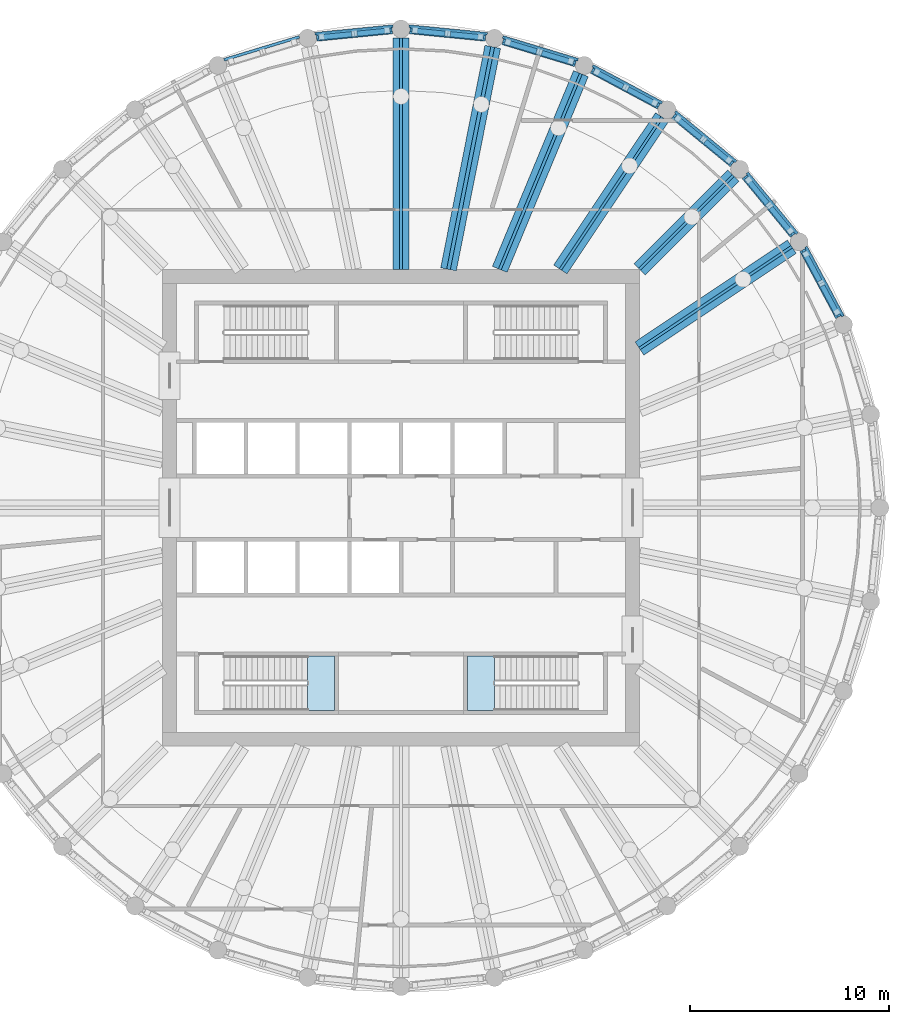
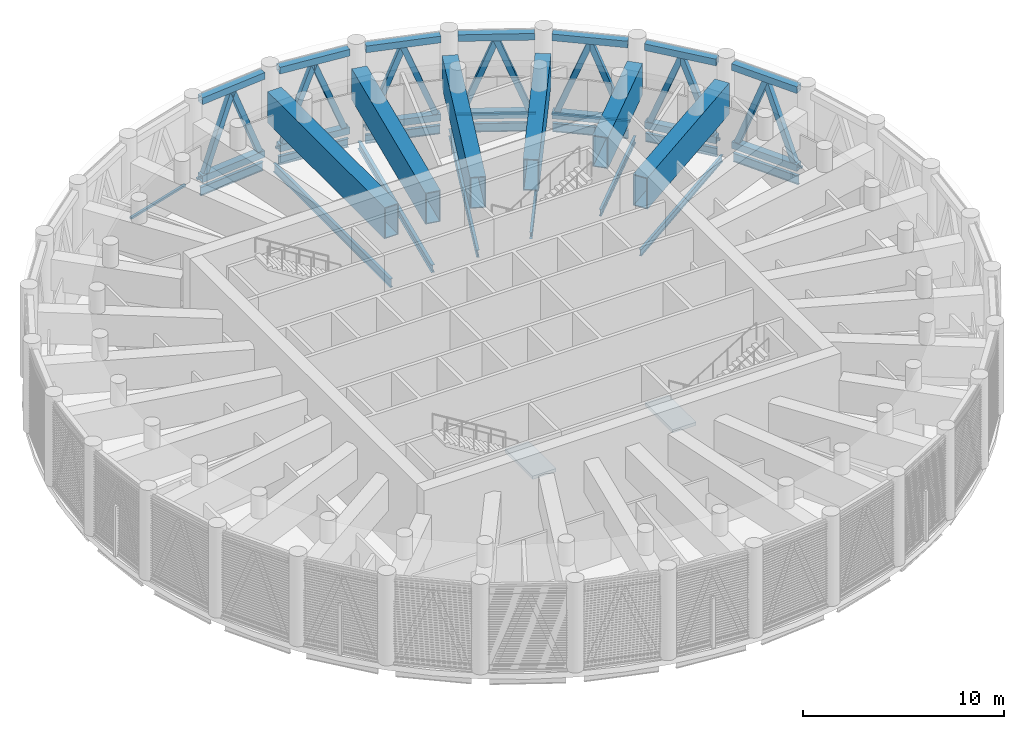
# One storey, part 4 of 19: 36 members, 19 beams, 2 slabs, 10 elements without a shape of their own.
"""IFC4 building model written with IfcOpenShell, lengths in metres."""

import ifcopenshell
import ifcopenshell.guid

model = None  # the IFC model being written
_history = None  # IfcOwnerHistory: only IFC2X3 demands one
_inside = {}  # id of a spatial element -> (the spatial element, [elements in it])
_under = {}  # id of a project, library or spatial element -> (it, [spatial elements below it])
_declared = {}  # id of a project -> (the project, [libraries it declares])
_typed = {}  # id of a type object -> (the type object, [elements of that type])
_made_of = {}  # id of a material, layer set ... -> (it, [elements and type objects made of it])


def new_model(schema):
    """Start an empty IFC model of exactly this schema.

    Asked for "IFC4X3", IfcOpenShell would pick the latest addendum, in which some entities
    have other attributes; the version numbers below select the first issue.
    IFC2X3 requires an IfcOwnerHistory on every rooted entity: one is made here for all.
    """
    global model, _history
    if schema == "IFC4X3":
        model = ifcopenshell.file(schema_version=(4, 3, 0, 0))
    else:
        model = ifcopenshell.file(schema=schema)
    _inside.clear()
    _under.clear()
    _declared.clear()
    _typed.clear()
    _made_of.clear()
    _history = None
    if model.schema == "IFC2X3":
        org = make("IfcOrganization", Name="unknown")
        user = make(
            "IfcPersonAndOrganization",
            ThePerson=make("IfcPerson", FamilyName="unknown"),
            TheOrganization=org,
        )
        app = make(
            "IfcApplication",
            ApplicationDeveloper=org,
            Version="unknown",
            ApplicationFullName="unknown",
            ApplicationIdentifier="unknown",
        )
        _history = make(
            "IfcOwnerHistory",
            OwningUser=user,
            OwningApplication=app,
            ChangeAction="ADDED",
            CreationDate=0,
        )
    return model


def make(cls, **values):
    """One entity of the class cls with the attributes given. An attribute that is None is left unset."""
    return model.create_entity(
        cls, **{name: value for name, value in values.items() if value is not None}
    )


def rooted(cls, **values):
    """An entity with a GlobalId (a new one), such as an element, a storey or a relation."""
    return make(cls, GlobalId=ifcopenshell.guid.new(), OwnerHistory=_history, **values)


def si_unit(unit_type, name, prefix=None):
    """IfcSIUnit, for example si_unit("LENGTHUNIT", "METRE", prefix="MILLI")."""
    return make("IfcSIUnit", UnitType=unit_type, Prefix=prefix, Name=name)


def assignment(units):
    """IfcUnitAssignment: the units of a project."""
    return None if units is None else make("IfcUnitAssignment", Units=units)


def point(xyz):
    """IfcCartesianPoint."""
    return None if xyz is None else make("IfcCartesianPoint", Coordinates=xyz)


def direction(xyz):
    """IfcDirection."""
    return None if xyz is None else make("IfcDirection", DirectionRatios=xyz)


def frame(location, z_axis=None, x_axis=None):
    """IfcAxis2Placement3D, a coordinate frame: its origin and axes. An axis left out is left unset."""
    return make(
        "IfcAxis2Placement3D",
        Location=point(location),
        Axis=direction(z_axis),
        RefDirection=direction(x_axis),
    )


def frame_2d(location, x_axis=None):
    """IfcAxis2Placement2D, a coordinate frame in the plane: its origin and x axis."""
    return make(
        "IfcAxis2Placement2D", Location=point(location), RefDirection=direction(x_axis)
    )


def origin():
    """The frame at (0, 0, 0) with its axes left unset."""
    return frame((0.0, 0.0, 0.0))


def origin_2d():
    """The frame at (0, 0) in the plane with its x axis left unset."""
    return frame_2d((0.0, 0.0))


def place(relative_to, where):
    """IfcLocalPlacement: puts the frame where relative to a parent placement (None: the world)."""
    return make(
        "IfcLocalPlacement", PlacementRelTo=relative_to, RelativePlacement=where
    )


def context(
    kind, dimensions, precision=None, world=None, true_north=None, identifier=None
):
    """IfcGeometricRepresentationContext, for example the 3D "Model" context."""
    return make(
        "IfcGeometricRepresentationContext",
        ContextIdentifier=identifier,
        ContextType=kind,
        CoordinateSpaceDimension=dimensions,
        Precision=precision,
        WorldCoordinateSystem=world,
        TrueNorth=true_north,
    )


def subcontext(parent, identifier, kind, view, scale=None):
    """IfcGeometricRepresentationSubContext, for example "Body" below "Model"."""
    return make(
        "IfcGeometricRepresentationSubContext",
        ContextIdentifier=identifier,
        ContextType=kind,
        ParentContext=parent,
        TargetScale=scale,
        TargetView=view,
    )


def project(units=None, contexts=None):
    """IfcProject with its units and contexts."""
    return rooted(
        "IfcProject",
        Name="project",
        RepresentationContexts=contexts,
        UnitsInContext=assignment(units),
    )


def spatial(cls, under=None, at=None, **own):
    """A site, building, storey or space (cls), placed at a placement, below another one or the project."""
    s = rooted(cls, ObjectPlacement=at, **own)
    if under is not None:
        _under.setdefault(under.id(), (under, []))[1].append(s)
    return s


def polyline(points):
    """IfcPolyline through the points."""
    return make("IfcPolyline", Points=[point(p) for p in points])


def profile(cls, at=None, kind="AREA", **sizes):
    """A parametric profile (cls). Its sizes go by their IFC names, for example OverallWidth=200.0."""
    return make(cls, ProfileType=kind, Position=at, **sizes)


def rectangle(**sizes):
    """IfcRectangleProfileDef."""
    return profile("IfcRectangleProfileDef", **sizes)


def hollow_rectangle(**sizes):
    """IfcRectangleHollowProfileDef."""
    return profile("IfcRectangleHollowProfileDef", **sizes)


def i_section(**sizes):
    """IfcIShapeProfileDef."""
    return profile("IfcIShapeProfileDef", **sizes)


def outline(outer, holes=None, kind="AREA"):
    """IfcArbitraryClosedProfileDef: a profile drawn as a closed curve; with holes, ...WithVoids."""
    if holes is None:
        return make("IfcArbitraryClosedProfileDef", ProfileType=kind, OuterCurve=outer)
    return make(
        "IfcArbitraryProfileDefWithVoids",
        ProfileType=kind,
        OuterCurve=outer,
        InnerCurves=holes,
    )


def extrude(swept, where, along, depth):
    """IfcExtrudedAreaSolid: the profile swept, set in the frame where, extruded along a direction by depth."""
    return make(
        "IfcExtrudedAreaSolid",
        SweptArea=swept,
        Position=where,
        ExtrudedDirection=direction(along),
        Depth=depth,
    )


def shape(context_of_items, identifier, shape_type, items):
    """IfcShapeRepresentation: the items that make up one representation, for example the "Body"."""
    return make(
        "IfcShapeRepresentation",
        ContextOfItems=context_of_items,
        RepresentationIdentifier=identifier,
        RepresentationType=shape_type,
        Items=items,
    )


def material(Name=None, Category=None):
    """IfcMaterial."""
    return make("IfcMaterial", Name=Name, Category=Category)


def layer(
    of_material, thickness, ventilated=None, Name=None, Category=None, Priority=None
):
    """IfcMaterialLayer: one layer of a wall or slab, of a material (None: an air gap)."""
    return make(
        "IfcMaterialLayer",
        Material=of_material,
        LayerThickness=thickness,
        IsVentilated=ventilated,
        Name=Name,
        Category=Category,
        Priority=Priority,
    )


def layer_set(layers, Name=None):
    """IfcMaterialLayerSet."""
    return make("IfcMaterialLayerSet", MaterialLayers=layers, LayerSetName=Name)


def material_profile(
    of_material, cross_section, Name=None, Category=None, Priority=None
):
    """IfcMaterialProfile: a cross section and its material."""
    return make(
        "IfcMaterialProfile",
        Name=Name,
        Material=of_material,
        Profile=cross_section,
        Priority=Priority,
        Category=Category,
    )


def profile_set(profiles, Name=None, composite=None):
    """IfcMaterialProfileSet."""
    return make(
        "IfcMaterialProfileSet",
        Name=Name,
        MaterialProfiles=profiles,
        CompositeProfile=composite,
    )


def made_of(thing, what):
    """Note that an element or type object is made of a material, layer set ...; save() writes the relation."""
    if what is not None:
        _made_of.setdefault(what.id(), (what, []))[1].append(thing)
    return thing


def type_object(cls, material=None, **own):
    """A type object (cls), such as IfcWallType, which elements share."""
    return made_of(rooted(cls, **own), material)


def element(
    cls,
    number,
    at=None,
    inside=None,
    cuts=None,
    type_object=None,
    material=None,
    context=None,
    identifier="Body",
    shape_type=None,
    held_by="IfcProductDefinitionShape",
    body=None,
    shapes=None,
    **own,
):
    """One element of the class cls, such as IfcWall. Its Tag is "e" and its number.

    at: its placement. inside: the storey or other place that contains it. cuts: it is an
    opening in that element (IfcRelVoidsElement). A single representation is given by context,
    identifier, shape_type and body (its items); several are given by shapes. held_by: the class
    of the entity that holds the representations. save() writes the other relations.
    """
    e = rooted(cls, Tag="e%d" % number, ObjectPlacement=at, **own)
    if body is not None:
        shapes = [shape(context, identifier, shape_type, body)]
    if shapes is not None:
        e.Representation = make(held_by, Representations=shapes)
    if inside is not None:
        _inside.setdefault(inside.id(), (inside, []))[1].append(e)
    if cuts is not None:
        rooted(
            "IfcRelVoidsElement", RelatingBuildingElement=cuts, RelatedOpeningElement=e
        )
    if type_object is not None:
        _typed.setdefault(type_object.id(), (type_object, []))[1].append(e)
    return made_of(e, material)


def aggregate(whole, parts):
    """IfcRelAggregates: a whole, such as a stair, and the parts it consists of."""
    return rooted("IfcRelAggregates", RelatingObject=whole, RelatedObjects=parts)


def save(model, path):
    """Write the relations noted so far, then the file.

    IfcRelAggregates (storeys below a building ...), IfcRelContainedInSpatialStructure (elements
    in a storey), IfcRelDefinesByType, IfcRelAssociatesMaterial and IfcRelDeclares: one each for
    every whole, place, type object, material and project.
    """
    for whole, parts in _under.values():
        aggregate(whole, parts)
    for where, things in _inside.values():
        rooted(
            "IfcRelContainedInSpatialStructure",
            RelatedElements=things,
            RelatingStructure=where,
        )
    for kind, things in _typed.values():
        rooted("IfcRelDefinesByType", RelatedObjects=things, RelatingType=kind)
    for what, things in _made_of.values():
        rooted("IfcRelAssociatesMaterial", RelatedObjects=things, RelatingMaterial=what)
    for by, libraries in _declared.values():
        rooted("IfcRelDeclares", RelatingContext=by, RelatedDefinitions=libraries)
    model.write(path)


model = new_model("IFC4")

# Units and contexts
model_context = context("Model", 3, precision=1e-05, world=origin(), true_north=direction((0.0, 1.0)))
body_context = subcontext(model_context, "Body", "Model", "MODEL_VIEW")
ifc_project = project(units=[si_unit("LENGTHUNIT", "METRE"), si_unit("AREAUNIT", "SQUARE_METRE"), si_unit("VOLUMEUNIT", "CUBIC_METRE"), si_unit("PLANEANGLEUNIT", "RADIAN"), si_unit("MASSUNIT", "GRAM", prefix="KILO")], contexts=[model_context])

# Site, building, storey
site_placement = place(None, origin())
site = spatial("IfcSite", under=ifc_project, at=site_placement, CompositionType="ELEMENT")
building_placement = place(site_placement, origin())
building = spatial("IfcBuilding", under=site, at=building_placement, Name="Corvane Civic Tower", CompositionType="ELEMENT")
storey_placement = place(building_placement, frame((0.0, 0.0, 319.0)))
storey = spatial("IfcBuildingStorey", under=building, at=storey_placement, Name="L76", CompositionType="ELEMENT", Elevation=319.0)

# Members
ifc_material_1 = material(Name="Steel ASTM A500 Gr C", Category="steel")
ifc_material_profile_1 = material_profile(ifc_material_1, hollow_rectangle(XDim=0.406494140625, YDim=0.406494140625, WallThickness=0.0146484375, at=origin_2d()), Name="HSS16X16X5/8")
ifc_profile_set_1 = profile_set([ifc_material_profile_1], Name="Steel ASTM A500 Gr C")
member_type_1 = type_object("IfcMemberType", Name="BELT CHORD HSS16X16X5/8", PredefinedType="CHORD", material=ifc_profile_set_1)
for number, where, z_axis, x_axis, name in (
    (1, (0.44775390625, 24.055908203125, 4.94677734375), (0.995187721162, -0.097986732007, 0.0), (0.097986732007, 0.995187721162, 0.0), "Belt truss BT-L76"),
    (2, (0.44775390625, 24.055908203125, 0.203125), (0.995187721162, -0.097986732007, 0.0), (0.097986732007, 0.995187721162, 0.0), "Belt truss BT-L76"),
    (3, (5.13232421875, 23.50634765625, 4.94677734375), (0.95692555902, -0.290333385085, 0.0), (0.290333385085, 0.95692555902, 0.0), "Belt truss BT-L76"),
    (4, (5.13232421875, 23.50634765625, 0.203125), (0.95692555902, -0.290333385085, 0.0), (0.290333385085, 0.95692555902, 0.0), "Belt truss BT-L76"),
):
    element("IfcMember", number, at=place(storey_placement, frame(where, z_axis=z_axis, x_axis=x_axis)), inside=storey, type_object=member_type_1, Name=name, PredefinedType="CHORD", context=body_context, shape_type="SweptSolid", body=[
        extrude(hollow_rectangle(XDim=0.406494140625, YDim=0.406494140625, WallThickness=0.0146484375, at=origin_2d()), origin(), (0.0, 0.0, 1.0), 3.824462890625),
    ])
for number, where, z_axis, x_axis, name in (
    (5, (9.61962890625, 22.05322265625, 4.94677734375), (0.881914279413, -0.471409804487, 0.0), (0.471409804487, 0.881914279413, 0.0), "Belt truss BT-L76"),
    (6, (9.61962890625, 22.05322265625, 0.203125), (0.881914279413, -0.471409804487, 0.0), (0.471409804487, 0.881914279413, 0.0), "Belt truss BT-L76"),
):
    element("IfcMember", number, at=place(storey_placement, frame(where, z_axis=z_axis, x_axis=x_axis)), inside=storey, type_object=member_type_1, Name=name, PredefinedType="CHORD", context=body_context, shape_type="SweptSolid", body=[
        extrude(hollow_rectangle(XDim=0.406494140625, YDim=0.406494140625, WallThickness=0.0146484375, at=origin_2d()), origin(), (0.0, 0.0, 1.0), 3.82421875),
    ])
for number, where, z_axis, x_axis, name in (
    (7, (13.737060546875, 19.7529296875, 4.94677734375), (0.772997914867, -0.634408562057, 0.0), (0.634408562057, 0.772997914867, 0.0), "Belt truss BT-L76"),
    (8, (13.737060546875, 19.7529296875, 0.203125), (0.772997914867, -0.634408562057, 0.0), (0.634408562057, 0.772997914867, 0.0), "Belt truss BT-L76"),
    (9, (17.32666015625, 16.693359375, 4.94677734375), (0.634408562057, -0.772997914867, 0.0), (0.772997914867, 0.634408562057, 0.0), "Belt truss BT-L76"),
    (10, (17.32666015625, 16.693359375, 0.203125), (0.634408562057, -0.772997914867, 0.0), (0.772997914867, 0.634408562057, 0.0), "Belt truss BT-L76"),
):
    element("IfcMember", number, at=place(storey_placement, frame(where, z_axis=z_axis, x_axis=x_axis)), inside=storey, type_object=member_type_1, Name=name, PredefinedType="CHORD", context=body_context, shape_type="SweptSolid", body=[
        extrude(hollow_rectangle(XDim=0.406494140625, YDim=0.406494140625, WallThickness=0.0146484375, at=origin_2d()), origin(), (0.0, 0.0, 1.0), 3.824462890625),
    ])
for number, where, z_axis, x_axis, name in (
    (11, (20.25048828125, 12.9921875, 4.94677734375), (0.471409804487, -0.881914279413, 0.0), (0.881914279413, 0.471409804487, 0.0), "Belt truss BT-L76"),
    (12, (20.25048828125, 12.9921875, 0.203125), (0.471409804487, -0.881914279413, 0.0), (0.881914279413, 0.471409804487, 0.0), "Belt truss BT-L76"),
):
    element("IfcMember", number, at=place(storey_placement, frame(where, z_axis=z_axis, x_axis=x_axis)), inside=storey, type_object=member_type_1, Name=name, PredefinedType="CHORD", context=body_context, shape_type="SweptSolid", body=[
        extrude(hollow_rectangle(XDim=0.406494140625, YDim=0.406494140625, WallThickness=0.0146484375, at=origin_2d()), origin(), (0.0, 0.0, 1.0), 3.82421875),
    ])
for number, where, z_axis, x_axis, name in (
    (13, (-4.25390625, 23.68115234375, 4.94677734375), (0.995187721162, 0.097986732007, 0.0), (-0.097986732007, 0.995187721162, 0.0), "Belt truss BT-L76"),
    (14, (-4.25390625, 23.68115234375, 0.203125), (0.995187721162, 0.097986732007, 0.0), (-0.097986732007, 0.995187721162, 0.0), "Belt truss BT-L76"),
):
    element("IfcMember", number, at=place(storey_placement, frame(where, z_axis=z_axis, x_axis=x_axis)), inside=storey, type_object=member_type_1, Name=name, PredefinedType="CHORD", context=body_context, shape_type="SweptSolid", body=[
        extrude(hollow_rectangle(XDim=0.406494140625, YDim=0.406494140625, WallThickness=0.0146484375, at=origin_2d()), origin(), (0.0, 0.0, 1.0), 3.824462890625),
    ])
ifc_material_2 = material(Name="Steel ASTM A500 Gr C", Category="steel")
ifc_material_profile_2 = material_profile(ifc_material_2, hollow_rectangle(XDim=0.3046875, YDim=0.3046875, WallThickness=0.01171875, at=origin_2d()), Name="HSS12X12X1/2")
ifc_profile_set_2 = profile_set([ifc_material_profile_2], Name="Steel ASTM A500 Gr C")
member_type_2 = type_object("IfcMemberType", Name="BELT DIAGONAL HSS12X12X1/2", PredefinedType="BRACE", material=ifc_profile_set_2)
for number, where, z_axis, x_axis, name in (
    (15, (0.696533203125, 24.031494140625, 0.406494140625), (0.356160483497, -0.035111452623, 0.933764903972), (0.098107650498, 0.995175808043, 0.0), "Belt truss BT-L76"),
    (16, (4.005126953125, 23.70556640625, 0.406494140625), (-0.356161140311, 0.035058955222, 0.933766625978), (-0.097962193234, -0.995190136957, 0.0), "Belt truss BT-L76"),
    (17, (5.37158203125, 23.433837890625, 0.406494140625), (0.34244493108, -0.103916136415, 0.93377347669), (0.29037833686, 0.956911919396, 0.0), "Belt truss BT-L76"),
    (18, (8.552734375, 22.468505859375, 0.406494140625), (-0.34244493108, 0.103916136415, 0.93377347669), (-0.29037833686, -0.956911919396, 0.0), "Belt truss BT-L76"),
    (19, (9.840087890625, 21.935302734375, 0.406494140625), (0.315588987007, -0.168675059844, 0.933783869783), (0.471373331446, 0.881933774385, 0.0), "Belt truss BT-L76"),
    (20, (12.771728515625, 20.368408203125, 0.406494140625), (-0.315588987007, 0.168675059844, 0.933783869783), (-0.471373331446, -0.881933774385, 0.0), "Belt truss BT-L76"),
    (21, (13.93017578125, 19.59423828125, 0.406494140625), (0.27668548819, -0.227014556134, 0.933760960808), (0.634300857687, 0.773086296565, 0.0), "Belt truss BT-L76"),
    (22, (16.500244140625, 17.4853515625, 0.406494140625), (-0.276636949162, 0.227017857387, 0.93377453959), (-0.634372880168, -0.773027198038, 0.0), "Belt truss BT-L76"),
    (23, (17.4853515625, 16.500244140625, 0.406494140625), (0.227017857387, -0.276636949162, 0.93377453959), (0.773027198038, 0.634372880168, 0.0), "Belt truss BT-L76"),
    (24, (19.59423828125, 13.93017578125, 0.406494140625), (-0.227014556134, 0.27668548819, 0.933760960808), (-0.773086296565, -0.634300857687, 0.0), "Belt truss BT-L76"),
    (25, (20.368408203125, 12.771728515625, 0.406494140625), (0.168675059844, -0.315588987007, 0.933783869783), (0.881933774385, 0.471373331446, 0.0), "Belt truss BT-L76"),
    (26, (21.935302734375, 9.840087890625, 0.406494140625), (-0.168675059844, 0.315588987007, 0.933783869783), (-0.881933774385, -0.471373331446, 0.0), "Belt truss BT-L76"),
    (27, (-4.005126953125, 23.70556640625, 0.406494140625), (0.356161140311, 0.035058955222, 0.933766625978), (-0.097962193234, 0.995190136957, 0.0), "Belt truss BT-L76"),
    (28, (-0.696533203125, 24.031494140625, 0.406494140625), (-0.356160483497, -0.035111452623, 0.933764903972), (0.098107650498, -0.995175808043, 0.0), "Belt truss BT-L76"),
):
    element("IfcMember", number, at=place(storey_placement, frame(where, z_axis=z_axis, x_axis=x_axis)), inside=storey, type_object=member_type_2, Name=name, PredefinedType="BRACE", context=body_context, shape_type="SweptSolid", body=[
        extrude(hollow_rectangle(XDim=0.3046875, YDim=0.3046875, WallThickness=0.01171875, at=origin_2d()), origin(), (0.0, 0.0, 1.0), 4.644775390625),
    ])

# Beams
ifc_material_3 = material(Name="Steel ASTM A992 Gr 50", Category="steel")
ifc_material_profile_3 = material_profile(ifc_material_3, i_section(OverallWidth=0.165771484375, OverallDepth=0.5283203125, WebThickness=0.009765625, FlangeThickness=0.013671875, at=origin_2d()), Name="W21X50")
ifc_profile_set_3 = profile_set([ifc_material_profile_3], Name="Steel ASTM A992 Gr 50")
beam_type_1 = type_object("IfcBeamType", Name="EDGE BEAM W21X50", PredefinedType="BEAM", material=ifc_profile_set_3)
for number, where, z_axis, x_axis, name in (
    (29, (0.44775390625, 24.055908203125, -0.6142578125), (0.995187721162, -0.097986732007, 0.0), (0.097986732007, 0.995187721162, 0.0), "BM-L76-E01"),
    (30, (5.13232421875, 23.50634765625, -0.6142578125), (0.95692555902, -0.290333385085, 0.0), (0.290333385085, 0.95692555902, 0.0), "BM-L76-E02"),
):
    element("IfcBeam", number, at=place(storey_placement, frame(where, z_axis=z_axis, x_axis=x_axis)), inside=storey, type_object=beam_type_1, Name=name, PredefinedType="BEAM", context=body_context, shape_type="SweptSolid", body=[
        extrude(i_section(OverallWidth=0.165771484375, OverallDepth=0.5283203125, WebThickness=0.009765625, FlangeThickness=0.013671875, at=origin_2d()), origin(), (0.0, 0.0, 1.0), 3.824462890625),
    ])
beam_1_placement = place(storey_placement, frame((9.61962890625, 22.05322265625, -0.6142578125), z_axis=(0.881914279413, -0.471409804487, 0.0), x_axis=(0.471409804487, 0.881914279413, 0.0)))
element("IfcBeam", 31, at=beam_1_placement, inside=storey, type_object=beam_type_1, Name="BM-L76-E03", PredefinedType="BEAM", context=body_context, shape_type="SweptSolid", body=[
    extrude(i_section(OverallWidth=0.165771484375, OverallDepth=0.5283203125, WebThickness=0.009765625, FlangeThickness=0.013671875, at=origin_2d()), origin(), (0.0, 0.0, 1.0), 3.82421875),
])
for number, where, z_axis, x_axis, name in (
    (32, (13.737060546875, 19.7529296875, -0.6142578125), (0.772997914867, -0.634408562057, 0.0), (0.634408562057, 0.772997914867, 0.0), "BM-L76-E04"),
    (33, (17.32666015625, 16.693359375, -0.6142578125), (0.634408562057, -0.772997914867, 0.0), (0.772997914867, 0.634408562057, 0.0), "BM-L76-E05"),
):
    element("IfcBeam", number, at=place(storey_placement, frame(where, z_axis=z_axis, x_axis=x_axis)), inside=storey, type_object=beam_type_1, Name=name, PredefinedType="BEAM", context=body_context, shape_type="SweptSolid", body=[
        extrude(i_section(OverallWidth=0.165771484375, OverallDepth=0.5283203125, WebThickness=0.009765625, FlangeThickness=0.013671875, at=origin_2d()), origin(), (0.0, 0.0, 1.0), 3.824462890625),
    ])
beam_2_placement = place(storey_placement, frame((20.25048828125, 12.9921875, -0.6142578125), z_axis=(0.471409804487, -0.881914279413, 0.0), x_axis=(0.881914279413, 0.471409804487, 0.0)))
element("IfcBeam", 34, at=beam_2_placement, inside=storey, type_object=beam_type_1, Name="BM-L76-E06", PredefinedType="BEAM", context=body_context, shape_type="SweptSolid", body=[
    extrude(i_section(OverallWidth=0.165771484375, OverallDepth=0.5283203125, WebThickness=0.009765625, FlangeThickness=0.013671875, at=origin_2d()), origin(), (0.0, 0.0, 1.0), 3.82421875),
])
beam_3_placement = place(storey_placement, frame((-4.25390625, 23.68115234375, -0.6142578125), z_axis=(0.995187721162, 0.097986732007, 0.0), x_axis=(-0.097986732007, 0.995187721162, 0.0)))
element("IfcBeam", 35, at=beam_3_placement, inside=storey, type_object=beam_type_1, Name="BM-L76-E32", PredefinedType="BEAM", context=body_context, shape_type="SweptSolid", body=[
    extrude(i_section(OverallWidth=0.165771484375, OverallDepth=0.5283203125, WebThickness=0.009765625, FlangeThickness=0.013671875, at=origin_2d()), origin(), (0.0, 0.0, 1.0), 3.824462890625),
])
ifc_material_4 = material(Name="Steel ASTM A992 Gr 50", Category="steel")
ifc_material_profile_4 = material_profile(ifc_material_4, i_section(OverallWidth=0.140380859375, OverallDepth=0.40380859375, WebThickness=0.007080078125, FlangeThickness=0.01123046875, at=origin_2d()), Name="W16X31")
ifc_profile_set_4 = profile_set([ifc_material_profile_4], Name="Steel ASTM A992 Gr 50")
beam_type_2 = type_object("IfcBeamType", Name="FLOOR GIRDER W16X31", PredefinedType="BEAM", material=ifc_profile_set_4)
beam_4_placement = place(storey_placement, frame((8.01806640625, 12.0, -0.552001953125), z_axis=(0.555567816355, 0.831471227061, 0.0), x_axis=(-0.831471227061, 0.555567816355, 0.0)))
element("IfcBeam", 36, at=beam_4_placement, inside=storey, type_object=beam_type_2, Name="BM-L76-G04", PredefinedType="BEAM", context=body_context, shape_type="SweptSolid", body=[
    extrude(i_section(OverallWidth=0.140380859375, OverallDepth=0.40380859375, WebThickness=0.007080078125, FlangeThickness=0.01123046875, at=origin_2d()), origin(), (0.0, 0.0, 1.0), 9.2177734375),
])
beam_5_placement = place(storey_placement, frame((12.0, 12.0, -0.552001953125), z_axis=(0.707106781187, 0.707106781187, 0.0), x_axis=(-0.707106781187, 0.707106781187, 0.0)))
element("IfcBeam", 37, at=beam_5_placement, inside=storey, type_object=beam_type_2, Name="BM-L76-G05", PredefinedType="BEAM", context=body_context, shape_type="SweptSolid", body=[
    extrude(i_section(OverallWidth=0.140380859375, OverallDepth=0.40380859375, WebThickness=0.007080078125, FlangeThickness=0.01123046875, at=origin_2d()), origin(), (0.0, 0.0, 1.0), 6.679443359375),
])
beam_6_placement = place(storey_placement, frame((12.0, 8.01806640625, -0.552001953125), z_axis=(0.831471227061, 0.555567816355, 0.0), x_axis=(-0.555567816355, 0.831471227061, 0.0)))
element("IfcBeam", 38, at=beam_6_placement, inside=storey, type_object=beam_type_2, Name="BM-L76-G06", PredefinedType="BEAM", context=body_context, shape_type="SweptSolid", body=[
    extrude(i_section(OverallWidth=0.140380859375, OverallDepth=0.40380859375, WebThickness=0.007080078125, FlangeThickness=0.01123046875, at=origin_2d()), origin(), (0.0, 0.0, 1.0), 9.2177734375),
])
ifc_material_5 = material(Name="Steel ASTM A992 Gr 50", Category="steel")
ifc_material_profile_5 = material_profile(ifc_material_5, i_section(OverallWidth=0.15283203125, OverallDepth=0.45458984375, WebThickness=0.008056640625, FlangeThickness=0.013427734375, at=origin_2d()), Name="W18X40")
ifc_profile_set_5 = profile_set([ifc_material_profile_5], Name="Steel ASTM A992 Gr 50")
beam_type_3 = type_object("IfcBeamType", Name="FLOOR GIRDER W18X40", PredefinedType="BEAM", material=ifc_profile_set_5)
beam_7_placement = place(storey_placement, frame((4.970458984375, 12.0, -0.577392578125), z_axis=(0.382694257331, 0.923875048589, 0.0), x_axis=(-0.923875048589, 0.382694257331, 0.0)))
element("IfcBeam", 39, at=beam_7_placement, inside=storey, type_object=beam_type_3, Name="BM-L76-G03", PredefinedType="BEAM", context=body_context, shape_type="SweptSolid", body=[
    extrude(i_section(OverallWidth=0.15283203125, OverallDepth=0.45458984375, WebThickness=0.008056640625, FlangeThickness=0.013427734375, at=origin_2d()), origin(), (0.0, 0.0, 1.0), 10.661376953125),
])
ifc_material_6 = material(Name="Steel ASTM A992 Gr 50", Category="steel")
ifc_material_profile_6 = material_profile(ifc_material_6, i_section(OverallWidth=0.1904296875, OverallDepth=0.457275390625, WebThickness=0.009033203125, FlangeThickness=0.014404296875, at=origin_2d()), Name="W18X50")
ifc_profile_set_6 = profile_set([ifc_material_profile_6], Name="Steel ASTM A992 Gr 50")
beam_type_4 = type_object("IfcBeamType", Name="FLOOR GIRDER W18X50", PredefinedType="BEAM", material=ifc_profile_set_6)
beam_8_placement = place(storey_placement, frame((2.386962890625, 12.0, -0.57861328125), z_axis=(0.195079532402, 0.980787426529, 0.0), x_axis=(-0.980787426529, 0.195079532402, 0.0)))
element("IfcBeam", 40, at=beam_8_placement, inside=storey, type_object=beam_type_4, Name="BM-L76-G02", PredefinedType="BEAM", context=body_context, shape_type="SweptSolid", body=[
    extrude(i_section(OverallWidth=0.1904296875, OverallDepth=0.457275390625, WebThickness=0.009033203125, FlangeThickness=0.014404296875, at=origin_2d()), origin(), (0.0, 0.0, 1.0), 11.414794921875),
])
ifc_material_7 = material(Name="Steel ASTM A992 Gr 50", Category="steel")
ifc_material_profile_7 = material_profile(ifc_material_7, i_section(OverallWidth=0.165771484375, OverallDepth=0.5283203125, WebThickness=0.009765625, FlangeThickness=0.013671875, at=origin_2d()), Name="W21X50")
ifc_profile_set_7 = profile_set([ifc_material_profile_7], Name="Steel ASTM A992 Gr 50")
beam_type_5 = type_object("IfcBeamType", Name="FLOOR GIRDER W21X50", PredefinedType="BEAM", material=ifc_profile_set_7)
beam_9_placement = place(storey_placement, frame((0.0, 12.0, -0.6142578125), z_axis=(0.0, 1.0, 0.0), x_axis=(-1.0, 0.0, 0.0)))
element("IfcBeam", 41, at=beam_9_placement, inside=storey, type_object=beam_type_5, Name="BM-L76-G01", PredefinedType="BEAM", context=body_context, shape_type="SweptSolid", body=[
    extrude(i_section(OverallWidth=0.165771484375, OverallDepth=0.5283203125, WebThickness=0.009765625, FlangeThickness=0.013671875, at=origin_2d()), origin(), (0.0, 0.0, 1.0), 11.64990234375),
])

# Curtain wall, member
ifc_material_8 = material(Name="Anodised aluminium bronze", Category="aluminium")
curtain_wall_type = type_object("IfcCurtainWallType", Name="TOWER CW-LV LOUVRE SCREEN WALL", PredefinedType="NOTDEFINED", material=ifc_material_8)
curtain_wall_1_placement = place(storey_placement, origin())
curtain_wall_1 = element("IfcCurtainWall", 42, at=curtain_wall_1_placement, inside=storey, type_object=curtain_wall_type, Name="Louvre screen wall CW-LV L76 bay 01", PredefinedType="NOTDEFINED")
ifc_material_9 = material(Name="Anodised aluminium bronze", Category="aluminium")
ifc_material_profile_8 = material_profile(ifc_material_9, rectangle(XDim=0.139892578125, YDim=0.1201171875, at=origin_2d()), Name="TOWER CW-LV TRANSOM 140x120")
ifc_profile_set_8 = profile_set([ifc_material_profile_8], Name="Anodised aluminium bronze")
member_type_3 = type_object("IfcMemberType", Name="TOWER CW-LV TRANSOM 140x120", PredefinedType="USERDEFINED", material=ifc_profile_set_8)
member_1_placement = place(storey_placement, frame((0.3984375, 24.24072265625, 0.06005859375), z_axis=(0.995186866683, -0.097995409999, 0.0), x_axis=(0.097995409999, 0.995186866683, 0.0)))
member_1 = element("IfcMember", 43, at=member_1_placement, type_object=member_type_3, Name="Transom CW-LV L76 01.1", ObjectType="TRANSOM", PredefinedType="USERDEFINED", context=body_context, shape_type="SweptSolid", body=[
    extrude(rectangle(XDim=0.139892578125, YDim=0.1201171875, at=origin_2d()), origin(), (0.0, 0.0, 1.0), 3.958740234375),
])
aggregate(curtain_wall_1, [member_1])

curtain_wall_2_placement = place(storey_placement, origin())
curtain_wall_2 = element("IfcCurtainWall", 44, at=curtain_wall_2_placement, inside=storey, type_object=curtain_wall_type, Name="Louvre screen wall CW-LV L76 bay 02", PredefinedType="NOTDEFINED")
member_2_placement = place(storey_placement, frame((5.119873046875, 23.697265625, 0.06005859375), z_axis=(0.956946054205, -0.290265825309, 0.0), x_axis=(0.290265825309, 0.956946054205, 0.0)))
member_2 = element("IfcMember", 45, at=member_2_placement, type_object=member_type_3, Name="Transom CW-LV L76 02.1", ObjectType="TRANSOM", PredefinedType="USERDEFINED", context=body_context, shape_type="SweptSolid", body=[
    extrude(rectangle(XDim=0.139892578125, YDim=0.1201171875, at=origin_2d()), origin(), (0.0, 0.0, 1.0), 3.958984375),
])
aggregate(curtain_wall_2, [member_2])

curtain_wall_3_placement = place(storey_placement, origin())
curtain_wall_3 = element("IfcCurtainWall", 46, at=curtain_wall_3_placement, inside=storey, type_object=curtain_wall_type, Name="Louvre screen wall CW-LV L76 bay 03", PredefinedType="NOTDEFINED")
member_3_placement = place(storey_placement, frame((9.644775390625, 22.2431640625, 0.06005859375), z_axis=(0.881883040816, -0.471468241052, 0.0), x_axis=(0.471468241052, 0.881883040816, 0.0)))
member_3 = element("IfcMember", 47, at=member_3_placement, type_object=member_type_3, Name="Transom CW-LV L76 03.1", ObjectType="TRANSOM", PredefinedType="USERDEFINED", context=body_context, shape_type="SweptSolid", body=[
    extrude(rectangle(XDim=0.139892578125, YDim=0.1201171875, at=origin_2d()), origin(), (0.0, 0.0, 1.0), 3.958740234375),
])
aggregate(curtain_wall_3, [member_3])

curtain_wall_4_placement = place(storey_placement, origin())
curtain_wall_4 = element("IfcCurtainWall", 48, at=curtain_wall_4_placement, inside=storey, type_object=curtain_wall_type, Name="Louvre screen wall CW-LV L76 bay 04", PredefinedType="NOTDEFINED")
member_4_placement = place(storey_placement, frame((13.798828125, 19.93408203125, 0.06005859375), z_axis=(0.772991943051, -0.634415838373, 0.0), x_axis=(0.634415838373, 0.772991943051, 0.0)))
member_4 = element("IfcMember", 49, at=member_4_placement, type_object=member_type_3, Name="Transom CW-LV L76 04.1", ObjectType="TRANSOM", PredefinedType="USERDEFINED", context=body_context, shape_type="SweptSolid", body=[
    extrude(rectangle(XDim=0.139892578125, YDim=0.1201171875, at=origin_2d()), origin(), (0.0, 0.0, 1.0), 3.958740234375),
])
aggregate(curtain_wall_4, [member_4])

curtain_wall_5_placement = place(storey_placement, origin())
curtain_wall_5 = element("IfcCurtainWall", 50, at=curtain_wall_5_placement, inside=storey, type_object=curtain_wall_type, Name="Louvre screen wall CW-LV L76 bay 05", PredefinedType="NOTDEFINED")
member_5_placement = place(storey_placement, frame((17.422607421875, 16.85888671875, 0.06005859375), z_axis=(0.634415838373, -0.772991943051, 0.0), x_axis=(0.772991943051, 0.634415838373, 0.0)))
member_5 = element("IfcMember", 51, at=member_5_placement, type_object=member_type_3, Name="Transom CW-LV L76 05.1", ObjectType="TRANSOM", PredefinedType="USERDEFINED", context=body_context, shape_type="SweptSolid", body=[
    extrude(rectangle(XDim=0.139892578125, YDim=0.1201171875, at=origin_2d()), origin(), (0.0, 0.0, 1.0), 3.958740234375),
])
aggregate(curtain_wall_5, [member_5])

curtain_wall_6_placement = place(storey_placement, origin())
curtain_wall_6 = element("IfcCurtainWall", 52, at=curtain_wall_6_placement, inside=storey, type_object=curtain_wall_type, Name="Louvre screen wall CW-LV L76 bay 06", PredefinedType="NOTDEFINED")
member_6_placement = place(storey_placement, frame((20.376708984375, 13.135986328125, 0.06005859375), z_axis=(0.471468241052, -0.881883040816, 0.0), x_axis=(0.881883040816, 0.471468241052, 0.0)))
member_6 = element("IfcMember", 53, at=member_6_placement, type_object=member_type_3, Name="Transom CW-LV L76 06.1", ObjectType="TRANSOM", PredefinedType="USERDEFINED", context=body_context, shape_type="SweptSolid", body=[
    extrude(rectangle(XDim=0.139892578125, YDim=0.1201171875, at=origin_2d()), origin(), (0.0, 0.0, 1.0), 3.958740234375),
])
aggregate(curtain_wall_6, [member_6])

curtain_wall_7_placement = place(storey_placement, origin())
curtain_wall_7 = element("IfcCurtainWall", 54, at=curtain_wall_7_placement, inside=storey, type_object=curtain_wall_type, Name="Louvre screen wall CW-LV L76 bay 31", PredefinedType="NOTDEFINED")
member_7_placement = place(storey_placement, frame((-8.908447265625, 22.548095703125, 0.06005859375), z_axis=(0.956946054205, 0.290265825309, 0.0), x_axis=(-0.290265825309, 0.956946054205, 0.0)))
member_7 = element("IfcMember", 55, at=member_7_placement, type_object=member_type_3, Name="Transom CW-LV L76 31.1", ObjectType="TRANSOM", PredefinedType="USERDEFINED", context=body_context, shape_type="SweptSolid", body=[
    extrude(rectangle(XDim=0.139892578125, YDim=0.1201171875, at=origin_2d()), origin(), (0.0, 0.0, 1.0), 3.958984375),
])
aggregate(curtain_wall_7, [member_7])

curtain_wall_8_placement = place(storey_placement, origin())
curtain_wall_8 = element("IfcCurtainWall", 56, at=curtain_wall_8_placement, inside=storey, type_object=curtain_wall_type, Name="Louvre screen wall CW-LV L76 bay 32", PredefinedType="NOTDEFINED")
member_8_placement = place(storey_placement, frame((-4.338134765625, 23.852783203125, 0.06005859375), z_axis=(0.995186866683, 0.097995409999, 0.0), x_axis=(-0.097995409999, 0.995186866683, 0.0)))
member_8 = element("IfcMember", 57, at=member_8_placement, type_object=member_type_3, Name="Transom CW-LV L76 32.1", ObjectType="TRANSOM", PredefinedType="USERDEFINED", context=body_context, shape_type="SweptSolid", body=[
    extrude(rectangle(XDim=0.139892578125, YDim=0.1201171875, at=origin_2d()), origin(), (0.0, 0.0, 1.0), 3.958740234375),
])
aggregate(curtain_wall_8, [member_8])

# Beams
ifc_material_10 = material(Name="Steel ASTM A572 Gr 50", Category="steel")
ifc_material_profile_9 = material_profile(ifc_material_10, hollow_rectangle(XDim=0.800048828125, YDim=1.89990234375, WallThickness=0.050048828125, at=origin_2d()), Name="BOX1900X800X50")
ifc_profile_set_9 = profile_set([ifc_material_profile_9], Name="Steel ASTM A572 Gr 50")
beam_type_6 = type_object("IfcBeamType", Name="TRANSFER GIRDER BOX1900X800X50", PredefinedType="BEAM", material=ifc_profile_set_9)
beam_10_placement = place(storey_placement, frame((0.0, 12.0, 3.14990234375), z_axis=(0.0, 1.0, 0.0), x_axis=(-1.0, 0.0, 0.0)))
element("IfcBeam", 58, at=beam_10_placement, inside=storey, type_object=beam_type_6, Name="Transfer girder TG-L76-1", PredefinedType="BEAM", context=body_context, shape_type="SweptSolid", body=[
    extrude(hollow_rectangle(XDim=0.800048828125, YDim=1.89990234375, WallThickness=0.050048828125, at=origin_2d()), origin(), (0.0, 0.0, 1.0), 11.64990234375),
])
beam_11_placement = place(storey_placement, frame((2.386962890625, 12.0, 3.14990234375), z_axis=(0.195079532402, 0.980787426529, 0.0), x_axis=(-0.980787426529, 0.195079532402, 0.0)))
element("IfcBeam", 59, at=beam_11_placement, inside=storey, type_object=beam_type_6, Name="Transfer girder TG-L76-2", PredefinedType="BEAM", context=body_context, shape_type="SweptSolid", body=[
    extrude(hollow_rectangle(XDim=0.800048828125, YDim=1.89990234375, WallThickness=0.050048828125, at=origin_2d()), origin(), (0.0, 0.0, 1.0), 11.414794921875),
])
beam_12_placement = place(storey_placement, frame((4.970458984375, 12.0, 3.14990234375), z_axis=(0.382694257331, 0.923875048589, 0.0), x_axis=(-0.923875048589, 0.382694257331, 0.0)))
element("IfcBeam", 60, at=beam_12_placement, inside=storey, type_object=beam_type_6, Name="Transfer girder TG-L76-3", PredefinedType="BEAM", context=body_context, shape_type="SweptSolid", body=[
    extrude(hollow_rectangle(XDim=0.800048828125, YDim=1.89990234375, WallThickness=0.050048828125, at=origin_2d()), origin(), (0.0, 0.0, 1.0), 10.661376953125),
])
beam_13_placement = place(storey_placement, frame((8.01806640625, 12.0, 3.14990234375), z_axis=(0.555567816355, 0.831471227061, 0.0), x_axis=(-0.831471227061, 0.555567816355, 0.0)))
element("IfcBeam", 61, at=beam_13_placement, inside=storey, type_object=beam_type_6, Name="Transfer girder TG-L76-4", PredefinedType="BEAM", context=body_context, shape_type="SweptSolid", body=[
    extrude(hollow_rectangle(XDim=0.800048828125, YDim=1.89990234375, WallThickness=0.050048828125, at=origin_2d()), origin(), (0.0, 0.0, 1.0), 9.2177734375),
])
beam_14_placement = place(storey_placement, frame((12.0, 12.0, 3.14990234375), z_axis=(0.707106781187, 0.707106781187, 0.0), x_axis=(-0.707106781187, 0.707106781187, 0.0)))
element("IfcBeam", 62, at=beam_14_placement, inside=storey, type_object=beam_type_6, Name="Transfer girder TG-L76-5", PredefinedType="BEAM", context=body_context, shape_type="SweptSolid", body=[
    extrude(hollow_rectangle(XDim=0.800048828125, YDim=1.89990234375, WallThickness=0.050048828125, at=origin_2d()), origin(), (0.0, 0.0, 1.0), 6.679443359375),
])
beam_15_placement = place(storey_placement, frame((12.0, 8.01806640625, 3.14990234375), z_axis=(0.831471227061, 0.555567816355, 0.0), x_axis=(-0.555567816355, 0.831471227061, 0.0)))
element("IfcBeam", 63, at=beam_15_placement, inside=storey, type_object=beam_type_6, Name="Transfer girder TG-L76-6", PredefinedType="BEAM", context=body_context, shape_type="SweptSolid", body=[
    extrude(hollow_rectangle(XDim=0.800048828125, YDim=1.89990234375, WallThickness=0.050048828125, at=origin_2d()), origin(), (0.0, 0.0, 1.0), 9.2177734375),
])

# Stair, slab
ifc_material_11 = material(Name="Concrete C40/50", Category="concrete")
stair_type = type_object("IfcStairType", Name="ST-STAIR-HALFTURN", PredefinedType="HALF_TURN_STAIR", material=ifc_material_11)
stair_1_placement = place(storey_placement, origin())
stair_1 = element("IfcStair", 64, at=stair_1_placement, inside=storey, type_object=stair_type, Name="L76 Exit stair ST2", PredefinedType="HALF_TURN_STAIR")
ifc_material_12 = material(Name="Concrete C40/50", Category="concrete")
ifc_layer = layer(ifc_material_12, 0.199951171875)
ifc_layer_set = layer_set([ifc_layer], Name="Concrete C40/50")
slab_type = type_object("IfcSlabType", Name="ST-LANDING-RC", PredefinedType="LANDING", material=ifc_layer_set)
slab_1_placement = place(storey_placement, frame((0.0, 0.0, 2.550048828125)))
slab_1 = element("IfcSlab", 65, at=slab_1_placement, type_object=slab_type, Name="ST2 landing 1", PredefinedType="LANDING", context=body_context, shape_type="SweptSolid", body=[
    extrude(outline(polyline([(4.699951171875, -7.449951171875), (3.35009765625, -7.449951171875), (3.35009765625, -10.199951171875), (4.699951171875, -10.199951171875), (4.699951171875, -7.449951171875)])), origin(), (0.0, 0.0, 1.0), 0.199951171875),
])
aggregate(stair_1, [slab_1])

stair_2_placement = place(storey_placement, origin())
stair_2 = element("IfcStair", 66, at=stair_2_placement, inside=storey, type_object=stair_type, Name="L76 Exit stair ST3", PredefinedType="HALF_TURN_STAIR")
slab_2_placement = place(storey_placement, frame((0.0, 0.0, 2.550048828125)))
slab_2 = element("IfcSlab", 67, at=slab_2_placement, type_object=slab_type, Name="ST3 landing 1", PredefinedType="LANDING", context=body_context, shape_type="SweptSolid", body=[
    extrude(outline(polyline([(-4.699951171875, -10.199951171875), (-3.35009765625, -10.199951171875), (-3.35009765625, -7.449951171875), (-4.699951171875, -7.449951171875), (-4.699951171875, -10.199951171875)])), origin(), (0.0, 0.0, 1.0), 0.199951171875),
])
aggregate(stair_2, [slab_2])

save(model, "model.ifc")
